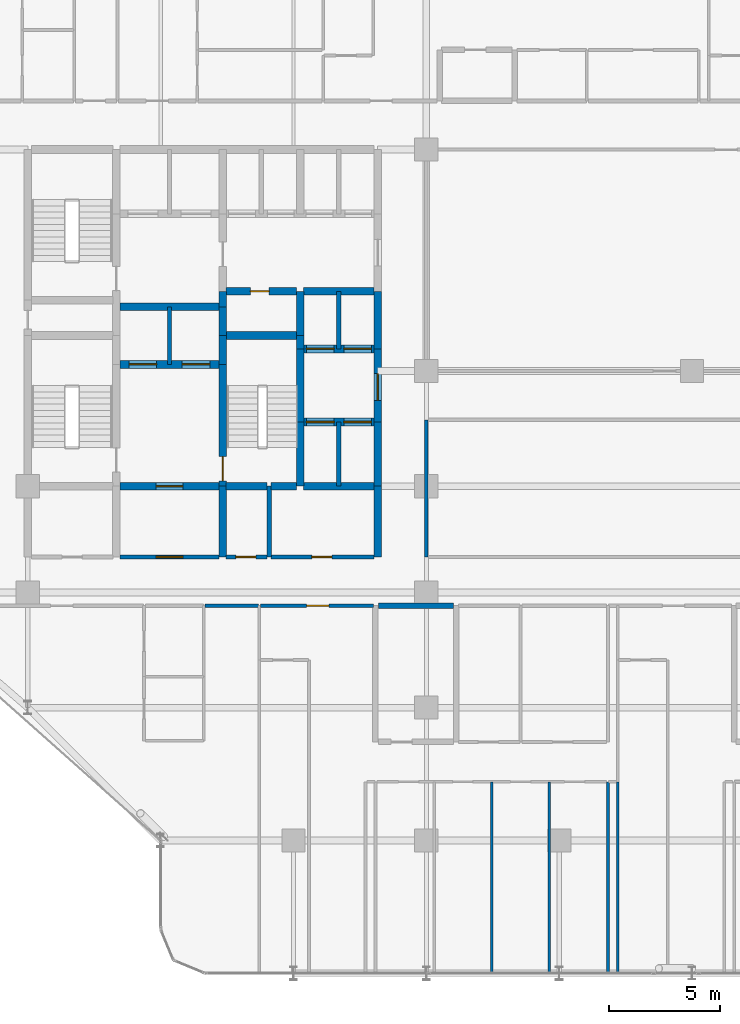
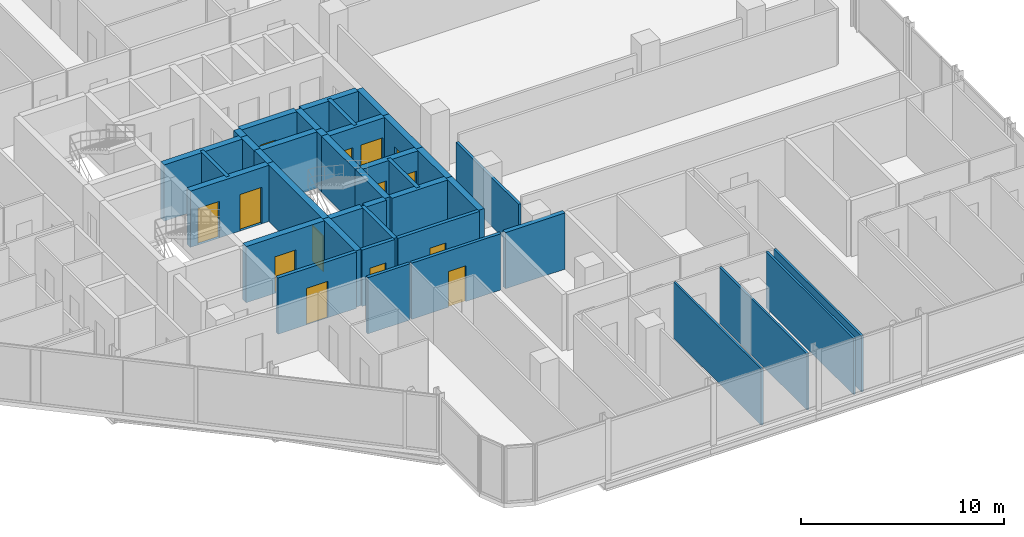
# One storey, part 25 of 30: 39 walls, 14 doors, 14 openings.
"""IFC4 building model written with IfcOpenShell, lengths in metres."""

import ifcopenshell
import ifcopenshell.guid

model = None  # the IFC model being written
_history = None  # IfcOwnerHistory: only IFC2X3 demands one
_inside = {}  # id of a spatial element -> (the spatial element, [elements in it])
_under = {}  # id of a project, library or spatial element -> (it, [spatial elements below it])
_declared = {}  # id of a project -> (the project, [libraries it declares])
_typed = {}  # id of a type object -> (the type object, [elements of that type])
_made_of = {}  # id of a material, layer set ... -> (it, [elements and type objects made of it])


def new_model(schema):
    """Start an empty IFC model of exactly this schema.

    Asked for "IFC4X3", IfcOpenShell would pick the latest addendum, in which some entities
    have other attributes; the version numbers below select the first issue.
    IFC2X3 requires an IfcOwnerHistory on every rooted entity: one is made here for all.
    """
    global model, _history
    if schema == "IFC4X3":
        model = ifcopenshell.file(schema_version=(4, 3, 0, 0))
    else:
        model = ifcopenshell.file(schema=schema)
    _inside.clear()
    _under.clear()
    _declared.clear()
    _typed.clear()
    _made_of.clear()
    _history = None
    if model.schema == "IFC2X3":
        org = make("IfcOrganization", Name="unknown")
        user = make(
            "IfcPersonAndOrganization",
            ThePerson=make("IfcPerson", FamilyName="unknown"),
            TheOrganization=org,
        )
        app = make(
            "IfcApplication",
            ApplicationDeveloper=org,
            Version="unknown",
            ApplicationFullName="unknown",
            ApplicationIdentifier="unknown",
        )
        _history = make(
            "IfcOwnerHistory",
            OwningUser=user,
            OwningApplication=app,
            ChangeAction="ADDED",
            CreationDate=0,
        )
    return model


def make(cls, **values):
    """One entity of the class cls with the attributes given. An attribute that is None is left unset."""
    return model.create_entity(
        cls, **{name: value for name, value in values.items() if value is not None}
    )


def rooted(cls, **values):
    """An entity with a GlobalId (a new one), such as an element, a storey or a relation."""
    return make(cls, GlobalId=ifcopenshell.guid.new(), OwnerHistory=_history, **values)


def si_unit(unit_type, name, prefix=None):
    """IfcSIUnit, for example si_unit("LENGTHUNIT", "METRE", prefix="MILLI")."""
    return make("IfcSIUnit", UnitType=unit_type, Prefix=prefix, Name=name)


def assignment(units):
    """IfcUnitAssignment: the units of a project."""
    return None if units is None else make("IfcUnitAssignment", Units=units)


def point(xyz):
    """IfcCartesianPoint."""
    return None if xyz is None else make("IfcCartesianPoint", Coordinates=xyz)


def direction(xyz):
    """IfcDirection."""
    return None if xyz is None else make("IfcDirection", DirectionRatios=xyz)


def frame(location, z_axis=None, x_axis=None):
    """IfcAxis2Placement3D, a coordinate frame: its origin and axes. An axis left out is left unset."""
    return make(
        "IfcAxis2Placement3D",
        Location=point(location),
        Axis=direction(z_axis),
        RefDirection=direction(x_axis),
    )


def frame_2d(location, x_axis=None):
    """IfcAxis2Placement2D, a coordinate frame in the plane: its origin and x axis."""
    return make(
        "IfcAxis2Placement2D", Location=point(location), RefDirection=direction(x_axis)
    )


def origin():
    """The frame at (0, 0, 0) with its axes left unset."""
    return frame((0.0, 0.0, 0.0))


def place(relative_to, where):
    """IfcLocalPlacement: puts the frame where relative to a parent placement (None: the world)."""
    return make(
        "IfcLocalPlacement", PlacementRelTo=relative_to, RelativePlacement=where
    )


def context(
    kind, dimensions, precision=None, world=None, true_north=None, identifier=None
):
    """IfcGeometricRepresentationContext, for example the 3D "Model" context."""
    return make(
        "IfcGeometricRepresentationContext",
        ContextIdentifier=identifier,
        ContextType=kind,
        CoordinateSpaceDimension=dimensions,
        Precision=precision,
        WorldCoordinateSystem=world,
        TrueNorth=true_north,
    )


def subcontext(parent, identifier, kind, view, scale=None):
    """IfcGeometricRepresentationSubContext, for example "Body" below "Model"."""
    return make(
        "IfcGeometricRepresentationSubContext",
        ContextIdentifier=identifier,
        ContextType=kind,
        ParentContext=parent,
        TargetScale=scale,
        TargetView=view,
    )


def project(units=None, contexts=None):
    """IfcProject with its units and contexts."""
    return rooted(
        "IfcProject",
        Name="project",
        RepresentationContexts=contexts,
        UnitsInContext=assignment(units),
    )


def spatial(cls, under=None, at=None, **own):
    """A site, building, storey or space (cls), placed at a placement, below another one or the project."""
    s = rooted(cls, ObjectPlacement=at, **own)
    if under is not None:
        _under.setdefault(under.id(), (under, []))[1].append(s)
    return s


def profile(cls, at=None, kind="AREA", **sizes):
    """A parametric profile (cls). Its sizes go by their IFC names, for example OverallWidth=200.0."""
    return make(cls, ProfileType=kind, Position=at, **sizes)


def rectangle(**sizes):
    """IfcRectangleProfileDef."""
    return profile("IfcRectangleProfileDef", **sizes)


def extrude(swept, where, along, depth):
    """IfcExtrudedAreaSolid: the profile swept, set in the frame where, extruded along a direction by depth."""
    return make(
        "IfcExtrudedAreaSolid",
        SweptArea=swept,
        Position=where,
        ExtrudedDirection=direction(along),
        Depth=depth,
    )


def shape(context_of_items, identifier, shape_type, items):
    """IfcShapeRepresentation: the items that make up one representation, for example the "Body"."""
    return make(
        "IfcShapeRepresentation",
        ContextOfItems=context_of_items,
        RepresentationIdentifier=identifier,
        RepresentationType=shape_type,
        Items=items,
    )


def material(Name=None, Category=None):
    """IfcMaterial."""
    return make("IfcMaterial", Name=Name, Category=Category)


def layer(
    of_material, thickness, ventilated=None, Name=None, Category=None, Priority=None
):
    """IfcMaterialLayer: one layer of a wall or slab, of a material (None: an air gap)."""
    return make(
        "IfcMaterialLayer",
        Material=of_material,
        LayerThickness=thickness,
        IsVentilated=ventilated,
        Name=Name,
        Category=Category,
        Priority=Priority,
    )


def layer_set(layers, Name=None):
    """IfcMaterialLayerSet."""
    return make("IfcMaterialLayerSet", MaterialLayers=layers, LayerSetName=Name)


def made_of(thing, what):
    """Note that an element or type object is made of a material, layer set ...; save() writes the relation."""
    if what is not None:
        _made_of.setdefault(what.id(), (what, []))[1].append(thing)
    return thing


def type_object(cls, material=None, **own):
    """A type object (cls), such as IfcWallType, which elements share."""
    return made_of(rooted(cls, **own), material)


def element(
    cls,
    number,
    at=None,
    inside=None,
    cuts=None,
    type_object=None,
    material=None,
    context=None,
    identifier="Body",
    shape_type=None,
    held_by="IfcProductDefinitionShape",
    body=None,
    shapes=None,
    **own,
):
    """One element of the class cls, such as IfcWall. Its Tag is "e" and its number.

    at: its placement. inside: the storey or other place that contains it. cuts: it is an
    opening in that element (IfcRelVoidsElement). A single representation is given by context,
    identifier, shape_type and body (its items); several are given by shapes. held_by: the class
    of the entity that holds the representations. save() writes the other relations.
    """
    e = rooted(cls, Tag="e%d" % number, ObjectPlacement=at, **own)
    if body is not None:
        shapes = [shape(context, identifier, shape_type, body)]
    if shapes is not None:
        e.Representation = make(held_by, Representations=shapes)
    if inside is not None:
        _inside.setdefault(inside.id(), (inside, []))[1].append(e)
    if cuts is not None:
        rooted(
            "IfcRelVoidsElement", RelatingBuildingElement=cuts, RelatedOpeningElement=e
        )
    if type_object is not None:
        _typed.setdefault(type_object.id(), (type_object, []))[1].append(e)
    return made_of(e, material)


def fill(opening, filler):
    """IfcRelFillsElement: the door or window that sits in an opening."""
    return rooted(
        "IfcRelFillsElement",
        RelatingOpeningElement=opening,
        RelatedBuildingElement=filler,
    )


def aggregate(whole, parts):
    """IfcRelAggregates: a whole, such as a stair, and the parts it consists of."""
    return rooted("IfcRelAggregates", RelatingObject=whole, RelatedObjects=parts)


def save(model, path):
    """Write the relations noted so far, then the file.

    IfcRelAggregates (storeys below a building ...), IfcRelContainedInSpatialStructure (elements
    in a storey), IfcRelDefinesByType, IfcRelAssociatesMaterial and IfcRelDeclares: one each for
    every whole, place, type object, material and project.
    """
    for whole, parts in _under.values():
        aggregate(whole, parts)
    for where, things in _inside.values():
        rooted(
            "IfcRelContainedInSpatialStructure",
            RelatedElements=things,
            RelatingStructure=where,
        )
    for kind, things in _typed.values():
        rooted("IfcRelDefinesByType", RelatedObjects=things, RelatingType=kind)
    for what, things in _made_of.values():
        rooted("IfcRelAssociatesMaterial", RelatedObjects=things, RelatingMaterial=what)
    for by, libraries in _declared.values():
        rooted("IfcRelDeclares", RelatingContext=by, RelatedDefinitions=libraries)
    model.write(path)


model = new_model("IFC4")

# Units and contexts
model_context = context("Model", 3, precision=1e-05, world=origin(), true_north=direction((0.0, 1.0)))
body_context = subcontext(model_context, "Body", "Model", "MODEL_VIEW")
ifc_project = project(units=[si_unit("LENGTHUNIT", "METRE"), si_unit("AREAUNIT", "SQUARE_METRE"), si_unit("VOLUMEUNIT", "CUBIC_METRE"), si_unit("PLANEANGLEUNIT", "RADIAN"), si_unit("MASSUNIT", "GRAM", prefix="KILO")], contexts=[model_context])

# Site, building, storey
site_placement = place(None, origin())
site = spatial("IfcSite", under=ifc_project, at=site_placement, CompositionType="ELEMENT")
building_placement = place(site_placement, origin())
building = spatial("IfcBuilding", under=site, at=building_placement, Name="Keshet Zoharim Tower", CompositionType="ELEMENT")
storey_placement = place(building_placement, frame((0.0, 0.0, 90.89990234375)))
storey = spatial("IfcBuildingStorey", under=building, at=storey_placement, Name="L21", CompositionType="ELEMENT", Elevation=90.89990234375)

# Walls
ifc_material_1 = material(Name="Gypsum Plasterboard", Category="gypsum")
ifc_layer_1 = layer(ifc_material_1, 0.14990234375)
ifc_layer_set_1 = layer_set([ifc_layer_1], Name="Gypsum Plasterboard")
wall_type_1 = type_object("IfcWallType", Name="WL-CLIN-150", PredefinedType="STANDARD", material=ifc_layer_set_1)
wall_1_placement = place(storey_placement, frame((33.0, 19.510009765625, 0.0), z_axis=(0.0, 0.0, 1.0), x_axis=(0.0, 1.0, 0.0)))
element("IfcWall", 1, at=wall_1_placement, inside=storey, type_object=wall_type_1, Name="L21 Interior Wall 069", PredefinedType="STANDARD", context=body_context, shape_type="SweptSolid", body=[
    extrude(rectangle(XDim=6.179931640625, YDim=0.14990234375, at=frame_2d((3.08984375, 0.0))), origin(), (0.0, 0.0, 1.0), 2.93505859375),
])
ifc_material_2 = material(Name="Concrete C60/75", Category="concrete")
ifc_layer_2 = layer(ifc_material_2, 0.35009765625)
ifc_layer_set_2 = layer_set([ifc_layer_2], Name="Concrete C60/75")
wall_type_2 = type_object("IfcWallType", Name="WL-CORE-350", PredefinedType="SHEAR", material=ifc_layer_set_2)
wall_2_placement = place(storey_placement, frame((23.800048828125, 19.5, 0.0), z_axis=(0.0, 0.0, 1.0), x_axis=(0.0, 1.0, 0.0)))
element("IfcWall", 2, at=wall_2_placement, inside=storey, type_object=wall_type_2, Name="L21 Core Shear Wall 036", PredefinedType="SHEAR", context=body_context, shape_type="SweptSolid", body=[
    extrude(rectangle(XDim=3.199951171875, YDim=0.35009765625, at=frame_2d((1.60009765625, 0.0))), origin(), (0.0, 0.0, 1.0), 3.385009765625),
])

# Wall, opening, door
wall_3_placement = place(storey_placement, frame((23.800048828125, 22.699951171875, 0.0), z_axis=(0.0, 0.0, 1.0), x_axis=(0.0, 1.0, 0.0)))
wall_3 = element("IfcWall", 3, at=wall_3_placement, inside=storey, type_object=wall_type_2, Name="L21 Core Shear Wall 037", PredefinedType="SHEAR", context=body_context, shape_type="SweptSolid", body=[
    extrude(rectangle(XDim=5.5, YDim=0.35009765625, at=frame_2d((2.75, 0.0))), origin(), (0.0, 0.0, 1.0), 3.385009765625),
])
opening_1_placement = place(wall_3_placement, frame((0.235107421875, 0.0, 0.0)))
opening_1 = element("IfcOpeningElement", 4, at=opening_1_placement, cuts=wall_3, Name="Opening D-F611", PredefinedType="OPENING", context=body_context, shape_type="SweptSolid", body=[
    extrude(rectangle(XDim=1.10009765625, YDim=2.14990234375, at=frame_2d((0.550048828125, 1.074951171875))), frame((0.0, 0.18505859375, 0.0), z_axis=(0.0, -1.0, 0.0), x_axis=(1.0, 0.0, 0.0)), (0.0, 0.0, 1.0), 0.3701171875),
])
ifc_material_3 = material(Name="Hardwood Timber", Category="wood")
door_type_1 = type_object("IfcDoorType", Name="DR-FD60-110", OperationType="NOTDEFINED", PredefinedType="DOOR", material=ifc_material_3)
door_1_placement = place(opening_1_placement, frame((1.10009765625, 0.0, 0.0), z_axis=(0.0, 0.0, 1.0), x_axis=(-1.0, 0.0, 0.0)))
door_1 = element("IfcDoor", 5, at=door_1_placement, inside=storey, type_object=door_type_1, Name="L21 Exit Stair ST-03 Fire Door", OperationType="SINGLE_SWING_LEFT", OverallHeight=2.14990234375, OverallWidth=1.10009765625, PredefinedType="DOOR", context=body_context, shape_type="SweptSolid", body=[
    extrude(rectangle(XDim=1.10009765625, YDim=2.14990234375, at=frame_2d((0.550048828125, 1.074951171875))), frame((0.0, 0.02490234375, 0.0), z_axis=(0.0, -1.0, 0.0), x_axis=(1.0, 0.0, 0.0)), (0.0, 0.0, 1.0), 0.050048828125),
])
fill(opening_1, door_1)

# Walls
for number, where, z_axis, x_axis, name in (
    (6, (23.800048828125, 28.199951171875, 0.0), (0.0, 0.0, 1.0), (0.0, 1.0, 0.0), "L21 Core Shear Wall 038"),
    (7, (23.800048828125, 29.5, 0.0), (0.0, 0.0, 1.0), (0.0, 1.0, 0.0), "L21 Core Shear Wall 039"),
):
    element("IfcWall", number, at=place(storey_placement, frame(where, z_axis=z_axis, x_axis=x_axis)), inside=storey, type_object=wall_type_2, Name=name, PredefinedType="SHEAR", context=body_context, shape_type="SweptSolid", body=[
        extrude(rectangle(XDim=1.300048828125, YDim=0.35009765625, at=frame_2d((0.64990234375, 0.0))), origin(), (0.0, 0.0, 1.0), 3.385009765625),
    ])
wall_4_placement = place(storey_placement, frame((23.800048828125, 30.800048828125, 0.0), z_axis=(0.0, 0.0, 1.0), x_axis=(0.0, 1.0, 0.0)))
element("IfcWall", 8, at=wall_4_placement, inside=storey, type_object=wall_type_2, Name="L21 Core Shear Wall 040", PredefinedType="SHEAR", context=body_context, shape_type="SweptSolid", body=[
    extrude(rectangle(XDim=0.699951171875, YDim=0.35009765625, at=frame_2d((0.35009765625, 0.0))), origin(), (0.0, 0.0, 1.0), 3.385009765625),
])
wall_5_placement = place(storey_placement, frame((27.300048828125, 22.699951171875, 0.0), z_axis=(0.0, 0.0, 1.0), x_axis=(0.0, 1.0, 0.0)))
element("IfcWall", 9, at=wall_5_placement, inside=storey, type_object=wall_type_2, Name="L21 Core Shear Wall 047", PredefinedType="SHEAR", context=body_context, shape_type="SweptSolid", body=[
    extrude(rectangle(XDim=2.900146484375, YDim=0.35009765625, at=frame_2d((1.4501953125, 0.0))), origin(), (0.0, 0.0, 1.0), 3.385009765625),
])
wall_6_placement = place(storey_placement, frame((27.300048828125, 25.60009765625, 0.0), z_axis=(0.0, 0.0, 1.0), x_axis=(0.0, 1.0, 0.0)))
element("IfcWall", 10, at=wall_6_placement, inside=storey, type_object=wall_type_2, Name="L21 Core Shear Wall 048", PredefinedType="SHEAR", context=body_context, shape_type="SweptSolid", body=[
    extrude(rectangle(XDim=3.2998046875, YDim=0.35009765625, at=frame_2d((1.64990234375, 0.0))), origin(), (0.0, 0.0, 1.0), 3.385009765625),
])
wall_7_placement = place(storey_placement, frame((27.300048828125, 28.89990234375, 0.0), z_axis=(0.0, 0.0, 1.0), x_axis=(0.0, 1.0, 0.0)))
element("IfcWall", 11, at=wall_7_placement, inside=storey, type_object=wall_type_2, Name="L21 Core Shear Wall 049", PredefinedType="SHEAR", context=body_context, shape_type="SweptSolid", body=[
    extrude(rectangle(XDim=0.60009765625, YDim=0.35009765625, at=frame_2d((0.300048828125, 0.0))), origin(), (0.0, 0.0, 1.0), 3.385009765625),
])
wall_8_placement = place(storey_placement, frame((27.300048828125, 29.5, 0.0), z_axis=(0.0, 0.0, 1.0), x_axis=(0.0, 1.0, 0.0)))
element("IfcWall", 12, at=wall_8_placement, inside=storey, type_object=wall_type_2, Name="L21 Core Shear Wall 050", PredefinedType="SHEAR", context=body_context, shape_type="SweptSolid", body=[
    extrude(rectangle(XDim=2.0, YDim=0.35009765625, at=frame_2d((1.0, 0.0))), origin(), (0.0, 0.0, 1.0), 3.385009765625),
])
wall_9_placement = place(storey_placement, frame((30.800048828125, 19.5, 0.0), z_axis=(0.0, 0.0, 1.0), x_axis=(0.0, 1.0, 0.0)))
element("IfcWall", 13, at=wall_9_placement, inside=storey, type_object=wall_type_2, Name="L21 Core Shear Wall 063", PredefinedType="SHEAR", context=body_context, shape_type="SweptSolid", body=[
    extrude(rectangle(XDim=3.199951171875, YDim=0.35009765625, at=frame_2d((1.60009765625, 0.0))), origin(), (0.0, 0.0, 1.0), 3.385009765625),
])
wall_10_placement = place(storey_placement, frame((30.800048828125, 22.699951171875, 0.0), z_axis=(0.0, 0.0, 1.0), x_axis=(0.0, 1.0, 0.0)))
element("IfcWall", 14, at=wall_10_placement, inside=storey, type_object=wall_type_2, Name="L21 Core Shear Wall 064", PredefinedType="SHEAR", context=body_context, shape_type="SweptSolid", body=[
    extrude(rectangle(XDim=2.900146484375, YDim=0.35009765625, at=frame_2d((1.4501953125, 0.0))), origin(), (0.0, 0.0, 1.0), 3.385009765625),
])

# Wall, opening, door
wall_11_placement = place(storey_placement, frame((30.800048828125, 25.60009765625, 0.0), z_axis=(0.0, 0.0, 1.0), x_axis=(0.0, 1.0, 0.0)))
wall_11 = element("IfcWall", 15, at=wall_11_placement, inside=storey, type_object=wall_type_2, Name="L21 Core Shear Wall 065", PredefinedType="SHEAR", context=body_context, shape_type="SweptSolid", body=[
    extrude(rectangle(XDim=3.2998046875, YDim=0.35009765625, at=frame_2d((1.64990234375, 0.0))), origin(), (0.0, 0.0, 1.0), 3.385009765625),
])
opening_2_placement = place(wall_11_placement, frame((0.97802734375, 0.0, 0.0)))
opening_2 = element("IfcOpeningElement", 16, at=opening_2_placement, cuts=wall_11, Name="Opening D-F612", PredefinedType="OPENING", context=body_context, shape_type="SweptSolid", body=[
    extrude(rectangle(XDim=1.199951171875, YDim=2.199951171875, at=frame_2d((0.60009765625, 1.10009765625))), frame((0.0, 0.18505859375, 0.0), z_axis=(0.0, -1.0, 0.0), x_axis=(1.0, 0.0, 0.0)), (0.0, 0.0, 1.0), 0.3701171875),
])
door_type_2 = type_object("IfcDoorType", Name="DR-FD60-120", OperationType="NOTDEFINED", PredefinedType="DOOR", material=ifc_material_3)
door_2_placement = place(opening_2_placement, origin())
door_2 = element("IfcDoor", 17, at=door_2_placement, inside=storey, type_object=door_type_2, Name="L21 East Lift Lobby Fire Door", OperationType="SINGLE_SWING_LEFT", OverallHeight=2.199951171875, OverallWidth=1.199951171875, PredefinedType="DOOR", context=body_context, shape_type="SweptSolid", body=[
    extrude(rectangle(XDim=1.199951171875, YDim=2.199951171875, at=frame_2d((0.60009765625, 1.10009765625))), frame((0.0, 0.02490234375, 0.0), z_axis=(0.0, -1.0, 0.0), x_axis=(1.0, 0.0, 0.0)), (0.0, 0.0, 1.0), 0.050048828125),
])
fill(opening_2, door_2)

# Wall
wall_12_placement = place(storey_placement, frame((30.800048828125, 28.89990234375, 0.0), z_axis=(0.0, 0.0, 1.0), x_axis=(0.0, 1.0, 0.0)))
element("IfcWall", 18, at=wall_12_placement, inside=storey, type_object=wall_type_2, Name="L21 Core Shear Wall 066", PredefinedType="SHEAR", context=body_context, shape_type="SweptSolid", body=[
    extrude(rectangle(XDim=2.60009765625, YDim=0.35009765625, at=frame_2d((1.300048828125, 0.0))), origin(), (0.0, 0.0, 1.0), 3.385009765625),
])

# Wall, opening, door
wall_13_placement = place(storey_placement, frame((19.159912109375, 22.699951171875, 0.0), z_axis=(0.0, 0.0, 1.0), x_axis=(1.0, 0.0, 0.0)))
wall_13 = element("IfcWall", 19, at=wall_13_placement, inside=storey, type_object=wall_type_2, Name="L21 Core Shear Wall 151", PredefinedType="SHEAR", context=body_context, shape_type="SweptSolid", body=[
    extrude(rectangle(XDim=4.47998046875, YDim=0.35009765625, at=frame_2d((2.239990234375, 0.0))), origin(), (0.0, 0.0, 1.0), 3.385009765625),
])
opening_3_placement = place(wall_13_placement, frame((1.639892578125, 0.0, 0.0)))
opening_3 = element("IfcOpeningElement", 20, at=opening_3_placement, cuts=wall_13, Name="Opening D-F612", PredefinedType="OPENING", context=body_context, shape_type="SweptSolid", body=[
    extrude(rectangle(XDim=1.199951171875, YDim=2.199951171875, at=frame_2d((0.60009765625, 1.10009765625))), frame((0.0, 0.18505859375, 0.0), z_axis=(0.0, -1.0, 0.0), x_axis=(1.0, 0.0, 0.0)), (0.0, 0.0, 1.0), 0.3701171875),
])
door_3_placement = place(opening_3_placement, origin())
door_3 = element("IfcDoor", 21, at=door_3_placement, inside=storey, type_object=door_type_2, Name="L21 South Core Lobby Fire Door", OperationType="SINGLE_SWING_RIGHT", OverallHeight=2.199951171875, OverallWidth=1.199951171875, PredefinedType="DOOR", context=body_context, shape_type="SweptSolid", body=[
    extrude(rectangle(XDim=1.199951171875, YDim=2.199951171875, at=frame_2d((0.60009765625, 1.10009765625))), frame((0.0, 0.02490234375, 0.0), z_axis=(0.0, -1.0, 0.0), x_axis=(1.0, 0.0, 0.0)), (0.0, 0.0, 1.0), 0.050048828125),
])
fill(opening_3, door_3)

# Walls
wall_14_placement = place(storey_placement, frame((23.9599609375, 22.699951171875, 0.0), z_axis=(0.0, 0.0, 1.0), x_axis=(1.0, 0.0, 0.0)))
element("IfcWall", 22, at=wall_14_placement, inside=storey, type_object=wall_type_2, Name="L21 Core Shear Wall 152", PredefinedType="SHEAR", context=body_context, shape_type="SweptSolid", body=[
    extrude(rectangle(XDim=1.85498046875, YDim=0.35009765625, at=frame_2d((0.927490234375, 0.0))), origin(), (0.0, 0.0, 1.0), 3.385009765625),
])
wall_15_placement = place(storey_placement, frame((25.985107421875, 22.699951171875, 0.0), z_axis=(0.0, 0.0, 1.0), x_axis=(1.0, 0.0, 0.0)))
element("IfcWall", 23, at=wall_15_placement, inside=storey, type_object=wall_type_2, Name="L21 Core Shear Wall 153", PredefinedType="SHEAR", context=body_context, shape_type="SweptSolid", body=[
    extrude(rectangle(XDim=1.15478515625, YDim=0.35009765625, at=frame_2d((0.577392578125, 0.0))), origin(), (0.0, 0.0, 1.0), 3.385009765625),
])
wall_16_placement = place(storey_placement, frame((27.4599609375, 22.699951171875, 0.0), z_axis=(0.0, 0.0, 1.0), x_axis=(1.0, 0.0, 0.0)))
element("IfcWall", 24, at=wall_16_placement, inside=storey, type_object=wall_type_2, Name="L21 Core Shear Wall 154", PredefinedType="SHEAR", context=body_context, shape_type="SweptSolid", body=[
    extrude(rectangle(XDim=3.179931640625, YDim=0.35009765625, at=frame_2d((1.58984375, 0.0))), origin(), (0.0, 0.0, 1.0), 3.385009765625),
])

# Wall, openings, doors
wall_17_placement = place(storey_placement, frame((27.4599609375, 25.60009765625, 0.0), z_axis=(0.0, 0.0, 1.0), x_axis=(1.0, 0.0, 0.0)))
wall_17 = element("IfcWall", 25, at=wall_17_placement, inside=storey, type_object=wall_type_2, Name="L21 Core Shear Wall 157", PredefinedType="SHEAR", context=body_context, shape_type="SweptSolid", body=[
    extrude(rectangle(XDim=3.179931640625, YDim=0.35009765625, at=frame_2d((1.58984375, 0.0))), origin(), (0.0, 0.0, 1.0), 3.385009765625),
])
opening_4_placement = place(wall_17_placement, frame((0.1201171875, 0.0, 0.0)))
opening_4 = element("IfcOpeningElement", 26, at=opening_4_placement, cuts=wall_17, Name="Opening LD-01", PredefinedType="OPENING", context=body_context, shape_type="SweptSolid", body=[
    extrude(rectangle(XDim=1.25, YDim=2.199951171875, at=frame_2d((0.625, 1.10009765625))), frame((0.0, 0.18505859375, 0.0), z_axis=(0.0, -1.0, 0.0), x_axis=(1.0, 0.0, 0.0)), (0.0, 0.0, 1.0), 0.3701171875),
])
opening_5_placement = place(wall_17_placement, frame((1.81005859375, 0.0, 0.0)))
opening_5 = element("IfcOpeningElement", 27, at=opening_5_placement, cuts=wall_17, Name="Opening LD-01", PredefinedType="OPENING", context=body_context, shape_type="SweptSolid", body=[
    extrude(rectangle(XDim=1.25, YDim=2.199951171875, at=frame_2d((0.625, 1.10009765625))), frame((0.0, 0.18505859375, 0.0), z_axis=(0.0, -1.0, 0.0), x_axis=(1.0, 0.0, 0.0)), (0.0, 0.0, 1.0), 0.3701171875),
])
ifc_material_4 = material(Name="Steel S355", Category="steel")
door_type_3 = type_object("IfcDoorType", Name="DR-LD01-125", OperationType="DOUBLE_DOOR_SLIDING", PredefinedType="DOOR", material=ifc_material_4)
door_4_placement = place(opening_4_placement, origin())
door_4 = element("IfcDoor", 28, at=door_4_placement, inside=storey, type_object=door_type_3, Name="L21 Passenger Lift Landing Door LF-07", OperationType="DOUBLE_DOOR_SLIDING", OverallHeight=2.199951171875, OverallWidth=1.25, PredefinedType="DOOR", context=body_context, shape_type="SweptSolid", body=[
    extrude(rectangle(XDim=1.25, YDim=2.199951171875, at=frame_2d((0.625, 1.10009765625))), frame((0.0, 0.02490234375, 0.0), z_axis=(0.0, -1.0, 0.0), x_axis=(1.0, 0.0, 0.0)), (0.0, 0.0, 1.0), 0.050048828125),
])
fill(opening_4, door_4)
door_5_placement = place(opening_5_placement, origin())
door_5 = element("IfcDoor", 29, at=door_5_placement, inside=storey, type_object=door_type_3, Name="L21 Passenger Lift Landing Door LF-08", OperationType="DOUBLE_DOOR_SLIDING", OverallHeight=2.199951171875, OverallWidth=1.25, PredefinedType="DOOR", context=body_context, shape_type="SweptSolid", body=[
    extrude(rectangle(XDim=1.25, YDim=2.199951171875, at=frame_2d((0.625, 1.10009765625))), frame((0.0, 0.02490234375, 0.0), z_axis=(0.0, -1.0, 0.0), x_axis=(1.0, 0.0, 0.0)), (0.0, 0.0, 1.0), 0.050048828125),
])
fill(opening_5, door_5)

wall_18_placement = place(storey_placement, frame((19.159912109375, 28.199951171875, 0.0), z_axis=(0.0, 0.0, 1.0), x_axis=(1.0, 0.0, 0.0)))
wall_18 = element("IfcWall", 30, at=wall_18_placement, inside=storey, type_object=wall_type_2, Name="L21 Core Shear Wall 162", PredefinedType="SHEAR", context=body_context, shape_type="SweptSolid", body=[
    extrude(rectangle(XDim=4.47998046875, YDim=0.35009765625, at=frame_2d((2.239990234375, 0.0))), origin(), (0.0, 0.0, 1.0), 3.385009765625),
])
opening_6_placement = place(wall_18_placement, frame((0.4150390625, 0.0, 0.0)))
opening_6 = element("IfcOpeningElement", 31, at=opening_6_placement, cuts=wall_18, Name="Opening LD-01", PredefinedType="OPENING", context=body_context, shape_type="SweptSolid", body=[
    extrude(rectangle(XDim=1.25, YDim=2.199951171875, at=frame_2d((0.625, 1.10009765625))), frame((0.0, 0.18505859375, 0.0), z_axis=(0.0, -1.0, 0.0), x_axis=(1.0, 0.0, 0.0)), (0.0, 0.0, 1.0), 0.3701171875),
])
opening_7_placement = place(wall_18_placement, frame((2.81494140625, 0.0, 0.0)))
opening_7 = element("IfcOpeningElement", 32, at=opening_7_placement, cuts=wall_18, Name="Opening LD-01", PredefinedType="OPENING", context=body_context, shape_type="SweptSolid", body=[
    extrude(rectangle(XDim=1.25, YDim=2.199951171875, at=frame_2d((0.625, 1.10009765625))), frame((0.0, 0.18505859375, 0.0), z_axis=(0.0, -1.0, 0.0), x_axis=(1.0, 0.0, 0.0)), (0.0, 0.0, 1.0), 0.3701171875),
])
door_6_placement = place(opening_6_placement, origin())
door_6 = element("IfcDoor", 33, at=door_6_placement, inside=storey, type_object=door_type_3, Name="L21 Passenger Lift Landing Door LF-09", OperationType="DOUBLE_DOOR_SLIDING", OverallHeight=2.199951171875, OverallWidth=1.25, PredefinedType="DOOR", context=body_context, shape_type="SweptSolid", body=[
    extrude(rectangle(XDim=1.25, YDim=2.199951171875, at=frame_2d((0.625, 1.10009765625))), frame((0.0, 0.02490234375, 0.0), z_axis=(0.0, -1.0, 0.0), x_axis=(1.0, 0.0, 0.0)), (0.0, 0.0, 1.0), 0.050048828125),
])
fill(opening_6, door_6)
door_7_placement = place(opening_7_placement, origin())
door_7 = element("IfcDoor", 34, at=door_7_placement, inside=storey, type_object=door_type_3, Name="L21 Passenger Lift Landing Door LF-10", OperationType="DOUBLE_DOOR_SLIDING", OverallHeight=2.199951171875, OverallWidth=1.25, PredefinedType="DOOR", context=body_context, shape_type="SweptSolid", body=[
    extrude(rectangle(XDim=1.25, YDim=2.199951171875, at=frame_2d((0.625, 1.10009765625))), frame((0.0, 0.02490234375, 0.0), z_axis=(0.0, -1.0, 0.0), x_axis=(1.0, 0.0, 0.0)), (0.0, 0.0, 1.0), 0.050048828125),
])
fill(opening_7, door_7)

wall_19_placement = place(storey_placement, frame((27.4599609375, 28.89990234375, 0.0), z_axis=(0.0, 0.0, 1.0), x_axis=(1.0, 0.0, 0.0)))
wall_19 = element("IfcWall", 35, at=wall_19_placement, inside=storey, type_object=wall_type_2, Name="L21 Core Shear Wall 167", PredefinedType="SHEAR", context=body_context, shape_type="SweptSolid", body=[
    extrude(rectangle(XDim=3.179931640625, YDim=0.35009765625, at=frame_2d((1.58984375, 0.0))), origin(), (0.0, 0.0, 1.0), 3.385009765625),
])
opening_8_placement = place(wall_19_placement, frame((0.1201171875, 0.0, 0.0)))
opening_8 = element("IfcOpeningElement", 36, at=opening_8_placement, cuts=wall_19, Name="Opening LD-01", PredefinedType="OPENING", context=body_context, shape_type="SweptSolid", body=[
    extrude(rectangle(XDim=1.25, YDim=2.199951171875, at=frame_2d((0.625, 1.10009765625))), frame((0.0, 0.18505859375, 0.0), z_axis=(0.0, -1.0, 0.0), x_axis=(1.0, 0.0, 0.0)), (0.0, 0.0, 1.0), 0.3701171875),
])
opening_9_placement = place(wall_19_placement, frame((1.81005859375, 0.0, 0.0)))
opening_9 = element("IfcOpeningElement", 37, at=opening_9_placement, cuts=wall_19, Name="Opening LD-01", PredefinedType="OPENING", context=body_context, shape_type="SweptSolid", body=[
    extrude(rectangle(XDim=1.25, YDim=2.199951171875, at=frame_2d((0.625, 1.10009765625))), frame((0.0, 0.18505859375, 0.0), z_axis=(0.0, -1.0, 0.0), x_axis=(1.0, 0.0, 0.0)), (0.0, 0.0, 1.0), 0.3701171875),
])
door_8_placement = place(opening_8_placement, origin())
door_8 = element("IfcDoor", 38, at=door_8_placement, inside=storey, type_object=door_type_3, Name="L21 Passenger Lift Landing Door LF-05", OperationType="DOUBLE_DOOR_SLIDING", OverallHeight=2.199951171875, OverallWidth=1.25, PredefinedType="DOOR", context=body_context, shape_type="SweptSolid", body=[
    extrude(rectangle(XDim=1.25, YDim=2.199951171875, at=frame_2d((0.625, 1.10009765625))), frame((0.0, 0.02490234375, 0.0), z_axis=(0.0, -1.0, 0.0), x_axis=(1.0, 0.0, 0.0)), (0.0, 0.0, 1.0), 0.050048828125),
])
fill(opening_8, door_8)
door_9_placement = place(opening_9_placement, origin())
door_9 = element("IfcDoor", 39, at=door_9_placement, inside=storey, type_object=door_type_3, Name="L21 Passenger Lift Landing Door LF-06", OperationType="DOUBLE_DOOR_SLIDING", OverallHeight=2.199951171875, OverallWidth=1.25, PredefinedType="DOOR", context=body_context, shape_type="SweptSolid", body=[
    extrude(rectangle(XDim=1.25, YDim=2.199951171875, at=frame_2d((0.625, 1.10009765625))), frame((0.0, 0.02490234375, 0.0), z_axis=(0.0, -1.0, 0.0), x_axis=(1.0, 0.0, 0.0)), (0.0, 0.0, 1.0), 0.050048828125),
])
fill(opening_9, door_9)

# Walls
wall_20_placement = place(storey_placement, frame((23.9599609375, 29.5, 0.0), z_axis=(0.0, 0.0, 1.0), x_axis=(1.0, 0.0, 0.0)))
element("IfcWall", 40, at=wall_20_placement, inside=storey, type_object=wall_type_2, Name="L21 Core Shear Wall 169", PredefinedType="SHEAR", context=body_context, shape_type="SweptSolid", body=[
    extrude(rectangle(XDim=3.179931640625, YDim=0.35009765625, at=frame_2d((1.58984375, 0.0))), origin(), (0.0, 0.0, 1.0), 3.385009765625),
])
wall_21_placement = place(storey_placement, frame((19.159912109375, 30.800048828125, 0.0), z_axis=(0.0, 0.0, 1.0), x_axis=(1.0, 0.0, 0.0)))
element("IfcWall", 41, at=wall_21_placement, inside=storey, type_object=wall_type_2, Name="L21 Core Shear Wall 170", PredefinedType="SHEAR", context=body_context, shape_type="SweptSolid", body=[
    extrude(rectangle(XDim=4.47998046875, YDim=0.35009765625, at=frame_2d((2.239990234375, 0.0))), origin(), (0.0, 0.0, 1.0), 3.385009765625),
])

# Wall, opening, door
wall_22_placement = place(storey_placement, frame((23.9599609375, 31.5, 0.0), z_axis=(0.0, 0.0, 1.0), x_axis=(1.0, 0.0, 0.0)))
wall_22 = element("IfcWall", 42, at=wall_22_placement, inside=storey, type_object=wall_type_2, Name="L21 Core Shear Wall 174", PredefinedType="SHEAR", context=body_context, shape_type="SweptSolid", body=[
    extrude(rectangle(XDim=3.179931640625, YDim=0.35009765625, at=frame_2d((1.58984375, 0.0))), origin(), (0.0, 0.0, 1.0), 3.385009765625),
])
opening_10_placement = place(wall_22_placement, frame((1.093994140625, 0.0, 0.0)))
opening_10 = element("IfcOpeningElement", 43, at=opening_10_placement, cuts=wall_22, Name="Opening D-RS85", PredefinedType="OPENING", context=body_context, shape_type="SweptSolid", body=[
    extrude(rectangle(XDim=0.85009765625, YDim=2.10009765625, at=frame_2d((0.425048828125, 1.050048828125))), frame((0.0, 0.18505859375, 0.0), z_axis=(0.0, -1.0, 0.0), x_axis=(1.0, 0.0, 0.0)), (0.0, 0.0, 1.0), 0.3701171875),
])
door_type_4 = type_object("IfcDoorType", Name="DR-RIS-085", OperationType="NOTDEFINED", PredefinedType="DOOR", material=ifc_material_3)
door_10_placement = place(opening_10_placement, origin())
door_10 = element("IfcDoor", 44, at=door_10_placement, inside=storey, type_object=door_type_4, Name="L21 Telecom Riser Access Cupboard Door", OperationType="SINGLE_SWING_RIGHT", OverallHeight=2.10009765625, OverallWidth=0.85009765625, PredefinedType="DOOR", context=body_context, shape_type="SweptSolid", body=[
    extrude(rectangle(XDim=0.85009765625, YDim=2.10009765625, at=frame_2d((0.425048828125, 1.050048828125))), frame((0.0, 0.02490234375, 0.0), z_axis=(0.0, -1.0, 0.0), x_axis=(1.0, 0.0, 0.0)), (0.0, 0.0, 1.0), 0.050048828125),
])
fill(opening_10, door_10)

# Walls
wall_23_placement = place(storey_placement, frame((27.4599609375, 31.5, 0.0), z_axis=(0.0, 0.0, 1.0), x_axis=(1.0, 0.0, 0.0)))
element("IfcWall", 45, at=wall_23_placement, inside=storey, type_object=wall_type_2, Name="L21 Core Shear Wall 175", PredefinedType="SHEAR", context=body_context, shape_type="SweptSolid", body=[
    extrude(rectangle(XDim=3.179931640625, YDim=0.35009765625, at=frame_2d((1.58984375, 0.0))), origin(), (0.0, 0.0, 1.0), 3.385009765625),
])
ifc_layer_3 = layer(ifc_material_1, 0.179931640625)
ifc_layer_set_3 = layer_set([ifc_layer_3], Name="Gypsum Plasterboard")
wall_type_3 = type_object("IfcWallType", Name="WL-CORR-180", PredefinedType="STANDARD", material=ifc_layer_set_3)
wall_24_placement = place(storey_placement, frame((23.014892578125, 17.300048828125, 0.0), z_axis=(0.0, 0.0, 1.0), x_axis=(1.0, 0.0, 0.0)))
element("IfcWall", 46, at=wall_24_placement, inside=storey, type_object=wall_type_3, Name="L21 Interior Wall 131", PredefinedType="STANDARD", context=body_context, shape_type="SweptSolid", body=[
    extrude(rectangle(XDim=2.41015625, YDim=0.179931640625, at=frame_2d((1.205078125, 0.0))), origin(), (0.0, 0.0, 1.0), 3.385009765625),
])

# Wall, opening, door
wall_25_placement = place(storey_placement, frame((25.514892578125, 17.300048828125, 0.0), z_axis=(0.0, 0.0, 1.0), x_axis=(1.0, 0.0, 0.0)))
wall_25 = element("IfcWall", 47, at=wall_25_placement, inside=storey, type_object=wall_type_3, Name="L21 Interior Wall 132", PredefinedType="STANDARD", context=body_context, shape_type="SweptSolid", body=[
    extrude(rectangle(XDim=5.09521484375, YDim=0.179931640625, at=frame_2d((2.547607421875, 0.0))), origin(), (0.0, 0.0, 1.0), 3.385009765625),
])
opening_11_placement = place(wall_25_placement, frame((2.080078125, 0.0, 0.0)))
opening_11 = element("IfcOpeningElement", 48, at=opening_11_placement, cuts=wall_25, Name="Opening D-F310", PredefinedType="OPENING", context=body_context, shape_type="SweptSolid", body=[
    extrude(rectangle(XDim=1.0, YDim=2.14990234375, at=frame_2d((0.5, 1.074951171875))), frame((0.0, 0.10009765625, 0.0), z_axis=(0.0, -1.0, 0.0), x_axis=(1.0, 0.0, 0.0)), (0.0, 0.0, 1.0), 0.199951171875),
])
door_type_5 = type_object("IfcDoorType", Name="DR-FD30-100", OperationType="NOTDEFINED", PredefinedType="DOOR", material=ifc_material_3)
door_11_placement = place(opening_11_placement, origin())
door_11 = element("IfcDoor", 49, at=door_11_placement, inside=storey, type_object=door_type_5, Name="Apartment 2102 Entrance Door", OperationType="SINGLE_SWING_RIGHT", OverallHeight=2.14990234375, OverallWidth=1.0, PredefinedType="DOOR", context=body_context, shape_type="SweptSolid", body=[
    extrude(rectangle(XDim=1.0, YDim=2.14990234375, at=frame_2d((0.5, 1.074951171875))), frame((0.0, 0.02490234375, 0.0), z_axis=(0.0, -1.0, 0.0), x_axis=(1.0, 0.0, 0.0)), (0.0, 0.0, 1.0), 0.050048828125),
])
fill(opening_11, door_11)

# Walls
ifc_material_5 = material(Name="Concrete C50/60", Category="concrete")
ifc_layer_4 = layer(ifc_material_5, 0.199951171875)
ifc_layer_set_4 = layer_set([ifc_layer_4], Name="Concrete C50/60")
wall_type_4 = type_object("IfcWallType", Name="WL-FIRE-200", PredefinedType="STANDARD", material=ifc_layer_set_4)
wall_26_placement = place(storey_placement, frame((21.39990234375, 28.199951171875, 0.0), z_axis=(0.0, 0.0, 1.0), x_axis=(0.0, 1.0, 0.0)))
element("IfcWall", 50, at=wall_26_placement, inside=storey, type_object=wall_type_4, Name="L21 Interior Wall 029", PredefinedType="STANDARD", context=body_context, shape_type="SweptSolid", body=[
    extrude(rectangle(XDim=2.60009765625, YDim=0.199951171875, at=frame_2d((1.300048828125, 0.0))), origin(), (0.0, 0.0, 1.0), 3.385009765625),
])
wall_27_placement = place(storey_placement, frame((25.89990234375, 19.5, 0.0), z_axis=(0.0, 0.0, 1.0), x_axis=(0.0, 1.0, 0.0)))
element("IfcWall", 51, at=wall_27_placement, inside=storey, type_object=wall_type_4, Name="L21 Interior Wall 046", PredefinedType="STANDARD", context=body_context, shape_type="SweptSolid", body=[
    extrude(rectangle(XDim=3.199951171875, YDim=0.199951171875, at=frame_2d((1.60009765625, 0.0))), origin(), (0.0, 0.0, 1.0), 3.385009765625),
])
wall_28_placement = place(storey_placement, frame((29.050048828125, 22.699951171875, 0.0), z_axis=(0.0, 0.0, 1.0), x_axis=(0.0, 1.0, 0.0)))
element("IfcWall", 52, at=wall_28_placement, inside=storey, type_object=wall_type_4, Name="L21 Interior Wall 056", PredefinedType="STANDARD", context=body_context, shape_type="SweptSolid", body=[
    extrude(rectangle(XDim=2.900146484375, YDim=0.199951171875, at=frame_2d((1.4501953125, 0.0))), origin(), (0.0, 0.0, 1.0), 3.385009765625),
])
wall_29_placement = place(storey_placement, frame((29.050048828125, 28.89990234375, 0.0), z_axis=(0.0, 0.0, 1.0), x_axis=(0.0, 1.0, 0.0)))
element("IfcWall", 53, at=wall_29_placement, inside=storey, type_object=wall_type_4, Name="L21 Interior Wall 057", PredefinedType="STANDARD", context=body_context, shape_type="SweptSolid", body=[
    extrude(rectangle(XDim=2.60009765625, YDim=0.199951171875, at=frame_2d((1.300048828125, 0.0))), origin(), (0.0, 0.0, 1.0), 3.385009765625),
])

# Wall, opening, door
wall_30_placement = place(storey_placement, frame((19.159912109375, 19.5, 0.0), z_axis=(0.0, 0.0, 1.0), x_axis=(1.0, 0.0, 0.0)))
wall_30 = element("IfcWall", 54, at=wall_30_placement, inside=storey, type_object=wall_type_4, Name="L21 Interior Wall 143", PredefinedType="STANDARD", context=body_context, shape_type="SweptSolid", body=[
    extrude(rectangle(XDim=4.47998046875, YDim=0.199951171875, at=frame_2d((2.239990234375, 0.0))), origin(), (0.0, 0.0, 1.0), 3.385009765625),
])
opening_12_placement = place(wall_30_placement, frame((1.639892578125, 0.0, 0.0)))
opening_12 = element("IfcOpeningElement", 55, at=opening_12_placement, cuts=wall_30, Name="Opening D-F612", PredefinedType="OPENING", context=body_context, shape_type="SweptSolid", body=[
    extrude(rectangle(XDim=1.199951171875, YDim=2.199951171875, at=frame_2d((0.60009765625, 1.10009765625))), frame((0.0, 0.10986328125, 0.0), z_axis=(0.0, -1.0, 0.0), x_axis=(1.0, 0.0, 0.0)), (0.0, 0.0, 1.0), 0.219970703125),
])
door_12_placement = place(opening_12_placement, origin())
door_12 = element("IfcDoor", 56, at=door_12_placement, inside=storey, type_object=door_type_2, Name="L21 South Vestibule Corridor Door", OperationType="SINGLE_SWING_LEFT", OverallHeight=2.199951171875, OverallWidth=1.199951171875, PredefinedType="DOOR", context=body_context, shape_type="SweptSolid", body=[
    extrude(rectangle(XDim=1.199951171875, YDim=2.199951171875, at=frame_2d((0.60009765625, 1.10009765625))), frame((0.0, 0.02490234375, 0.0), z_axis=(0.0, -1.0, 0.0), x_axis=(1.0, 0.0, 0.0)), (0.0, 0.0, 1.0), 0.050048828125),
])
fill(opening_12, door_12)

wall_31_placement = place(storey_placement, frame((23.9599609375, 19.5, 0.0), z_axis=(0.0, 0.0, 1.0), x_axis=(1.0, 0.0, 0.0)))
wall_31 = element("IfcWall", 57, at=wall_31_placement, inside=storey, type_object=wall_type_4, Name="L21 Interior Wall 144", PredefinedType="STANDARD", context=body_context, shape_type="SweptSolid", body=[
    extrude(rectangle(XDim=1.85498046875, YDim=0.199951171875, at=frame_2d((0.927490234375, 0.0))), origin(), (0.0, 0.0, 1.0), 3.385009765625),
])
opening_13_placement = place(wall_31_placement, frame((0.43994140625, 0.0, 0.0)))
opening_13 = element("IfcOpeningElement", 58, at=opening_13_placement, cuts=wall_31, Name="Opening D-F690", PredefinedType="OPENING", context=body_context, shape_type="SweptSolid", body=[
    extrude(rectangle(XDim=0.89990234375, YDim=2.14990234375, at=frame_2d((0.449951171875, 1.074951171875))), frame((0.0, 0.10986328125, 0.0), z_axis=(0.0, -1.0, 0.0), x_axis=(1.0, 0.0, 0.0)), (0.0, 0.0, 1.0), 0.219970703125),
])
door_type_6 = type_object("IfcDoorType", Name="DR-FD60-090", OperationType="NOTDEFINED", PredefinedType="DOOR", material=ifc_material_3)
door_13_placement = place(opening_13_placement, origin())
door_13 = element("IfcDoor", 59, at=door_13_placement, inside=storey, type_object=door_type_6, Name="L21 Cleaners Store Door", OperationType="SINGLE_SWING_RIGHT", OverallHeight=2.14990234375, OverallWidth=0.89990234375, PredefinedType="DOOR", context=body_context, shape_type="SweptSolid", body=[
    extrude(rectangle(XDim=0.89990234375, YDim=2.14990234375, at=frame_2d((0.449951171875, 1.074951171875))), frame((0.0, 0.02490234375, 0.0), z_axis=(0.0, -1.0, 0.0), x_axis=(1.0, 0.0, 0.0)), (0.0, 0.0, 1.0), 0.050048828125),
])
fill(opening_13, door_13)

wall_32_placement = place(storey_placement, frame((25.985107421875, 19.5, 0.0), z_axis=(0.0, 0.0, 1.0), x_axis=(1.0, 0.0, 0.0)))
wall_32 = element("IfcWall", 60, at=wall_32_placement, inside=storey, type_object=wall_type_4, Name="L21 Interior Wall 145", PredefinedType="STANDARD", context=body_context, shape_type="SweptSolid", body=[
    extrude(rectangle(XDim=4.65478515625, YDim=0.199951171875, at=frame_2d((2.327392578125, 0.0))), origin(), (0.0, 0.0, 1.0), 3.385009765625),
])
opening_14_placement = place(wall_32_placement, frame((1.844970703125, 0.0, 0.0)))
opening_14 = element("IfcOpeningElement", 61, at=opening_14_placement, cuts=wall_32, Name="Opening D-F690", PredefinedType="OPENING", context=body_context, shape_type="SweptSolid", body=[
    extrude(rectangle(XDim=0.89990234375, YDim=2.14990234375, at=frame_2d((0.449951171875, 1.074951171875))), frame((0.0, 0.10986328125, 0.0), z_axis=(0.0, -1.0, 0.0), x_axis=(1.0, 0.0, 0.0)), (0.0, 0.0, 1.0), 0.219970703125),
])
door_14_placement = place(opening_14_placement, origin())
door_14 = element("IfcDoor", 62, at=door_14_placement, inside=storey, type_object=door_type_6, Name="L21 Meter Room Door", OperationType="SINGLE_SWING_LEFT", OverallHeight=2.14990234375, OverallWidth=0.89990234375, PredefinedType="DOOR", context=body_context, shape_type="SweptSolid", body=[
    extrude(rectangle(XDim=0.89990234375, YDim=2.14990234375, at=frame_2d((0.449951171875, 1.074951171875))), frame((0.0, 0.02490234375, 0.0), z_axis=(0.0, -1.0, 0.0), x_axis=(1.0, 0.0, 0.0)), (0.0, 0.0, 1.0), 0.050048828125),
])
fill(opening_14, door_14)

# Walls
ifc_layer_5 = layer(ifc_material_5, 0.25)
ifc_layer_set_5 = layer_set([ifc_layer_5], Name="Concrete C50/60")
wall_type_5 = type_object("IfcWallType", Name="WL-MAMAD-250", PredefinedType="STANDARD", material=ifc_layer_set_5)
wall_33_placement = place(storey_placement, frame((30.830078125, 17.300048828125, 0.0), z_axis=(0.0, 0.0, 1.0), x_axis=(1.0, 0.0, 0.0)))
element("IfcWall", 63, at=wall_33_placement, inside=storey, type_object=wall_type_5, Name="L21 Interior Wall 133", PredefinedType="STANDARD", context=body_context, shape_type="SweptSolid", body=[
    extrude(rectangle(XDim=3.39892578125, YDim=0.25, at=frame_2d((1.699462890625, 0.0))), origin(), (0.0, 0.0, 1.0), 3.385009765625),
])
ifc_layer_6 = layer(ifc_material_1, 0.1201171875)
ifc_layer_set_6 = layer_set([ifc_layer_6], Name="Gypsum Plasterboard")
wall_type_6 = type_object("IfcWallType", Name="WL-PART-120", PredefinedType="PARTITIONING", material=ifc_layer_set_6)
for number, where, z_axis, x_axis, name in (
    (64, (35.949951171875, 0.7099609375, 0.0), (0.0, 0.0, 1.0), (0.0, 1.0, 0.0), "L21 Interior Wall 076"),
    (65, (38.550048828125, 0.7099609375, 0.0), (0.0, 0.0, 1.0), (0.0, 1.0, 0.0), "L21 Interior Wall 080"),
    (66, (41.199951171875, 0.7099609375, 0.0), (0.0, 0.0, 1.0), (0.0, 1.0, 0.0), "L21 Interior Wall 083"),
    (67, (41.64990234375, 0.7099609375, 0.0), (0.0, 0.0, 1.0), (0.0, 1.0, 0.0), "L21 Interior Wall 085"),
):
    element("IfcWall", number, at=place(storey_placement, frame(where, z_axis=z_axis, x_axis=x_axis)), inside=storey, type_object=wall_type_6, Name=name, PredefinedType="PARTITIONING", context=body_context, shape_type="SweptSolid", body=[
        extrude(rectangle(XDim=8.64013671875, YDim=0.1201171875, at=frame_2d((4.320068359375, 0.0))), origin(), (0.0, 0.0, 1.0), 3.385009765625),
    ])

save(model, "model.ifc")
